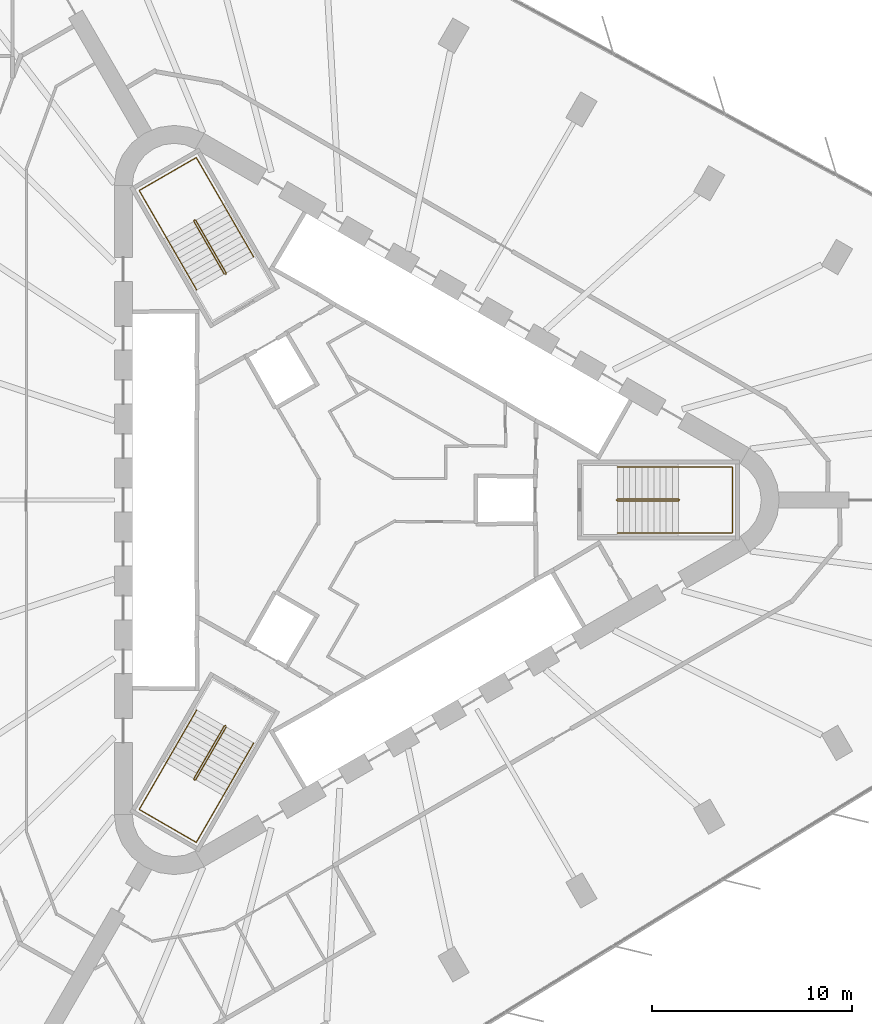
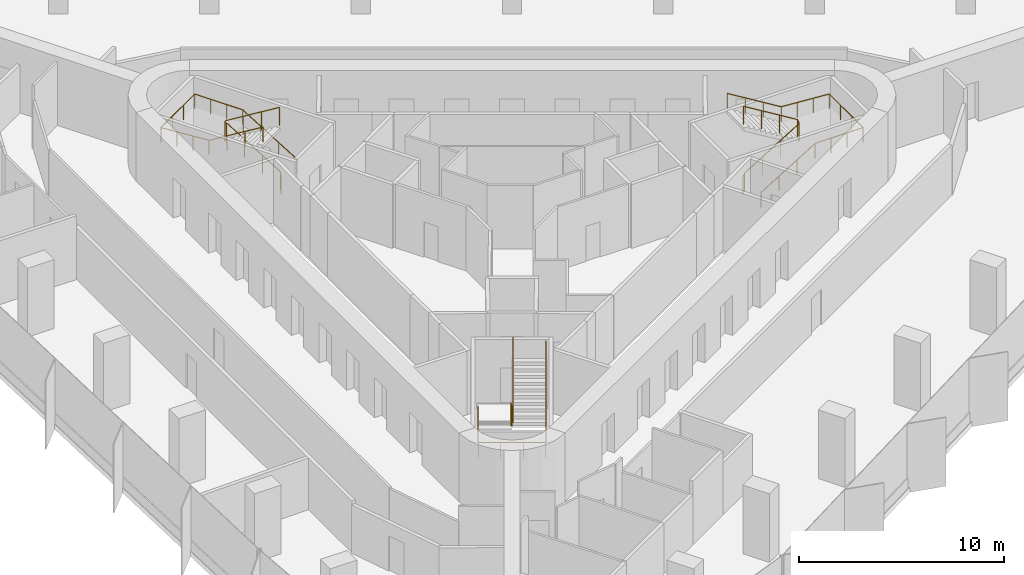
# One storey, part 14 of 14: 6 railings.
"""IFC4 building model written with IfcOpenShell, lengths in metres."""

from ifc_helpers import new_model, si_unit, direction, frame, origin, origin_2d, place, context, subcontext, project, spatial, circle, extrude, material, type_object, element, save


model = new_model("IFC4")

# Units and contexts
model_context = context("Model", 3, precision=1e-05, world=origin(), true_north=direction((0.0, 1.0)))
body_context = subcontext(model_context, "Body", "Model", "MODEL_VIEW")
ifc_project = project(units=[si_unit("LENGTHUNIT", "METRE"), si_unit("AREAUNIT", "SQUARE_METRE"), si_unit("VOLUMEUNIT", "CUBIC_METRE"), si_unit("PLANEANGLEUNIT", "RADIAN"), si_unit("MASSUNIT", "GRAM", prefix="KILO")], contexts=[model_context])

# Site, building, storey
site_placement = place(None, origin())
site = spatial("IfcSite", under=ifc_project, at=site_placement, CompositionType="ELEMENT")
building_placement = place(site_placement, origin())
building = spatial("IfcBuilding", under=site, at=building_placement, Name="Tanit Gate Tower", CompositionType="ELEMENT")
storey_placement = place(building_placement, frame((0.0, 0.0, 148.0)))
storey = spatial("IfcBuildingStorey", under=building, at=storey_placement, Name="L32", CompositionType="ELEMENT", Elevation=148.0)

# Railings
ifc_material_1 = material(Name="Stainless steel balustrade", Category="steel")
railing_type_1 = type_object("IfcRailingType", Name="INT-STAIR-GUARD", PredefinedType="GUARDRAIL", material=ifc_material_1)
railing_1_placement = place(storey_placement, frame((13.044921875, 0.0048828125, 0.0)))
element("IfcRailing", 1, at=railing_1_placement, inside=storey, type_object=railing_type_1, Name="L32 S1 stair guard 1", PredefinedType="GUARDRAIL", context=body_context, shape_type="SweptSolid", body=[
    extrude(circle(Radius=0.02392578125, at=origin_2d()), frame((0.0, 0.0, 1.076171875), z_axis=(0.0, -1.0, 0.0), x_axis=(1.0, 0.0, 0.0)), (0.0, 0.0, 1.0), 0.009765625),
    extrude(circle(Radius=0.02392578125, at=origin_2d()), frame((0.0, -0.009765625, 1.076171875), z_axis=(0.251157038772, -0.251157038772, 0.934794246747), x_axis=(0.707106781187, 0.707106781187, 0.0)), (0.0, 0.0, 1.0), 0.19921875),
    extrude(circle(Radius=0.02392578125, at=origin_2d()), frame((0.050048828125, -0.059814453125, 1.26220703125), z_axis=(0.853374658889, 0.0, 0.521298083217), x_axis=(0.0, 1.0, 0.0)), (0.0, 0.0, 1.0), 3.5751953125),
    extrude(circle(Radius=0.02392578125, at=origin_2d()), frame((3.10107421875, -0.059814453125, 3.1259765625), z_axis=(0.707106781187, 0.707106781187, 0.0), x_axis=(-0.707106781187, 0.707106781187, 0.0)), (0.0, 0.0, 1.0), 0.07080078125),
    extrude(circle(Radius=0.02392578125, at=origin_2d()), frame((3.151123046875, -0.009765625, 3.1259765625), z_axis=(0.0, 1.0, 0.0), x_axis=(-1.0, 0.0, 0.0)), (0.0, 0.0, 1.0), 0.009765625),
    extrude(circle(Radius=0.02392578125, at=origin_2d()), frame((3.151123046875, 0.0, 3.1259765625), z_axis=(-0.251157038772, 0.251157038772, 0.934794246747), x_axis=(-0.707106781187, -0.707106781187, 0.0)), (0.0, 0.0, 1.0), 0.19921875),
    extrude(circle(Radius=0.02392578125, at=origin_2d()), frame((3.10107421875, 0.050048828125, 3.3125), z_axis=(-0.853374658889, 0.0, 0.521298083217), x_axis=(0.0, -1.0, 0.0)), (0.0, 0.0, 1.0), 3.5751953125),
    extrude(circle(Radius=0.02099609375, at=origin_2d()), origin(), (0.0, 0.0, 1.0), 1.052001953125),
    extrude(circle(Radius=0.02099609375, at=origin_2d()), frame((0.0, -0.009765625, 0.0)), (0.0, 0.0, 1.0), 1.052001953125),
    extrude(circle(Radius=0.02099609375, at=origin_2d()), frame((0.050048828125, -0.059814453125, 0.186279296875)), (0.0, 0.0, 1.0), 1.052001953125),
    extrude(circle(Radius=0.02099609375, at=origin_2d()), frame((1.067138671875, -0.059814453125, 0.8076171875)), (0.0, 0.0, 1.0), 1.052001953125),
    extrude(circle(Radius=0.02099609375, at=origin_2d()), frame((2.083984375, -0.059814453125, 1.4287109375)), (0.0, 0.0, 1.0), 1.052001953125),
    extrude(circle(Radius=0.02099609375, at=origin_2d()), frame((3.10107421875, -0.059814453125, 2.050048828125)), (0.0, 0.0, 1.0), 1.052001953125),
    extrude(circle(Radius=0.02099609375, at=origin_2d()), frame((3.151123046875, -0.009765625, 2.050048828125)), (0.0, 0.0, 1.0), 1.052001953125),
    extrude(circle(Radius=0.02099609375, at=origin_2d()), frame((3.151123046875, 0.0, 2.050048828125)), (0.0, 0.0, 1.0), 1.052001953125),
    extrude(circle(Radius=0.02099609375, at=origin_2d()), frame((3.10107421875, 0.050048828125, 2.236328125)), (0.0, 0.0, 1.0), 1.052001953125),
    extrude(circle(Radius=0.02099609375, at=origin_2d()), frame((2.083984375, 0.050048828125, 2.857666015625)), (0.0, 0.0, 1.0), 1.052001953125),
    extrude(circle(Radius=0.02099609375, at=origin_2d()), frame((1.067138671875, 0.050048828125, 3.478759765625)), (0.0, 0.0, 1.0), 1.052001953125),
    extrude(circle(Radius=0.02099609375, at=origin_2d()), frame((0.050048828125, 0.050048828125, 4.10009765625)), (0.0, 0.0, 1.0), 1.052001953125),
])
railing_2_placement = place(storey_placement, frame((-6.527099609375, 11.29345703125, 0.0)))
element("IfcRailing", 2, at=railing_2_placement, inside=storey, type_object=railing_type_1, Name="L32 S2 stair guard 1", PredefinedType="GUARDRAIL", context=body_context, shape_type="SweptSolid", body=[
    extrude(circle(Radius=0.02392578125, at=origin_2d()), frame((0.0, 0.0, 1.076171875), z_axis=(0.868243142124, 0.496138938357, 0.0), x_axis=(-0.496138938357, 0.868243142124, 0.0)), (0.0, 0.0, 1.0), 0.01171875),
    extrude(circle(Radius=0.02392578125, at=origin_2d()), frame((0.01025390625, 0.005859375, 1.076171875), z_axis=(0.091888445584, 0.343050196848, 0.93481178641), x_axis=(-0.965948051503, 0.258736085224, 0.0)), (0.0, 0.0, 1.0), 0.19921875),
    extrude(circle(Radius=0.02392578125, at=origin_2d()), frame((0.028564453125, 0.07421875, 1.26220703125), z_axis=(-0.426636495959, 0.738911183393, 0.521528104107), x_axis=(-0.866012246495, -0.500022788402, 0.0)), (0.0, 0.0, 1.0), 3.57373046875),
    extrude(circle(Radius=0.02392578125, at=origin_2d()), frame((-1.49609375, 2.71484375, 3.1259765625), z_axis=(-0.965715946433, 0.259601060869, 0.0), x_axis=(-0.259601060869, -0.965715946433, 0.0)), (0.0, 0.0, 1.0), 0.070556640625),
    extrude(circle(Radius=0.02392578125, at=origin_2d()), frame((-1.564208984375, 2.733154296875, 3.1259765625), z_axis=(-0.873197702015, -0.487366159264, 0.0), x_axis=(0.487366159264, -0.873197702015, 0.0)), (0.0, 0.0, 1.0), 0.011962890625),
    extrude(circle(Radius=0.02392578125, at=origin_2d()), frame((-1.57470703125, 2.727294921875, 3.1259765625), z_axis=(-0.091888445584, -0.343050196848, 0.93481178641), x_axis=(0.965948051503, -0.258736085224, 0.0)), (0.0, 0.0, 1.0), 0.19921875),
    extrude(circle(Radius=0.02392578125, at=origin_2d()), frame((-1.593017578125, 2.658935546875, 3.3125), z_axis=(0.426636495959, -0.738911183393, 0.521528104107), x_axis=(0.866012246495, 0.500022788402, 0.0)), (0.0, 0.0, 1.0), 3.57373046875),
    extrude(circle(Radius=0.02099609375, at=origin_2d()), origin(), (0.0, 0.0, 1.0), 1.052001953125),
    extrude(circle(Radius=0.02099609375, at=origin_2d()), frame((0.01025390625, 0.005859375, 0.0)), (0.0, 0.0, 1.0), 1.052001953125),
    extrude(circle(Radius=0.02099609375, at=origin_2d()), frame((0.028564453125, 0.07421875, 0.186279296875)), (0.0, 0.0, 1.0), 1.052001953125),
    extrude(circle(Radius=0.02099609375, at=origin_2d()), frame((-0.479736328125, 0.954345703125, 0.8076171875)), (0.0, 0.0, 1.0), 1.052001953125),
    extrude(circle(Radius=0.02099609375, at=origin_2d()), frame((-0.98779296875, 1.834716796875, 1.4287109375)), (0.0, 0.0, 1.0), 1.052001953125),
    extrude(circle(Radius=0.02099609375, at=origin_2d()), frame((-1.49609375, 2.71484375, 2.050048828125)), (0.0, 0.0, 1.0), 1.052001953125),
    extrude(circle(Radius=0.02099609375, at=origin_2d()), frame((-1.564208984375, 2.733154296875, 2.050048828125)), (0.0, 0.0, 1.0), 1.052001953125),
    extrude(circle(Radius=0.02099609375, at=origin_2d()), frame((-1.57470703125, 2.727294921875, 2.050048828125)), (0.0, 0.0, 1.0), 1.052001953125),
    extrude(circle(Radius=0.02099609375, at=origin_2d()), frame((-1.593017578125, 2.658935546875, 2.236328125)), (0.0, 0.0, 1.0), 1.052001953125),
    extrude(circle(Radius=0.02099609375, at=origin_2d()), frame((-1.084716796875, 1.77880859375, 2.857666015625)), (0.0, 0.0, 1.0), 1.052001953125),
    extrude(circle(Radius=0.02099609375, at=origin_2d()), frame((-0.57666015625, 0.8984375, 3.478759765625)), (0.0, 0.0, 1.0), 1.052001953125),
    extrude(circle(Radius=0.02099609375, at=origin_2d()), frame((-0.068359375, 0.018310546875, 4.10009765625)), (0.0, 0.0, 1.0), 1.052001953125),
])
railing_3_placement = place(storey_placement, frame((-6.51806640625, -11.2998046875, 0.0)))
element("IfcRailing", 3, at=railing_3_placement, inside=storey, type_object=railing_type_1, Name="L32 S3 stair guard 1", PredefinedType="GUARDRAIL", context=body_context, shape_type="SweptSolid", body=[
    extrude(circle(Radius=0.02392578125, at=origin_2d()), frame((0.0, 0.0, 1.076171875), z_axis=(-0.874157276122, 0.485642931179, 0.0), x_axis=(-0.485642931179, -0.874157276122, 0.0)), (0.0, 0.0, 1.0), 0.010009765625),
    extrude(circle(Radius=0.02392578125, at=origin_2d()), frame((-0.0087890625, 0.0048828125, 1.076171875), z_axis=(-0.343088566343, -0.090673406819, 0.934916343285), x_axis=(0.255512919477, -0.966805641264, 0.0)), (0.0, 0.0, 1.0), 0.19921875),
    extrude(circle(Radius=0.02392578125, at=origin_2d()), frame((-0.0771484375, -0.01318359375, 1.26220703125), z_axis=(-0.42665336134, -0.739063593114, 0.52129829713), x_axis=(0.866048339477, -0.499960272111, 0.0)), (0.0, 0.0, 1.0), 3.5751953125),
    extrude(circle(Radius=0.02392578125, at=origin_2d()), frame((-1.6025390625, -2.655517578125, 3.1259765625), z_axis=(0.258736085224, -0.965948051503, 0.0), x_axis=(0.965948051503, 0.258736085224, 0.0)), (0.0, 0.0, 1.0), 0.07080078125),
    extrude(circle(Radius=0.02392578125, at=origin_2d()), frame((-1.584228515625, -2.723876953125, 3.1259765625), z_axis=(0.868243142124, -0.496138938357, 0.0), x_axis=(0.496138938357, 0.868243142124, 0.0)), (0.0, 0.0, 1.0), 0.009765625),
    extrude(circle(Radius=0.02392578125, at=origin_2d()), frame((-1.57568359375, -2.728759765625, 3.1259765625), z_axis=(0.343050196848, 0.091888445584, 0.93481178641), x_axis=(-0.258736085224, 0.965948051503, 0.0)), (0.0, 0.0, 1.0), 0.19921875),
    extrude(circle(Radius=0.02392578125, at=origin_2d()), frame((-1.50732421875, -2.71044921875, 3.3125), z_axis=(0.42673074944, 0.739011069041, 0.521309416102), x_axis=(-0.865993683553, 0.500054937028, 0.0)), (0.0, 0.0, 1.0), 3.5751953125),
    extrude(circle(Radius=0.02099609375, at=origin_2d()), origin(), (0.0, 0.0, 1.0), 1.052001953125),
    extrude(circle(Radius=0.02099609375, at=origin_2d()), frame((-0.0087890625, 0.0048828125, 0.0)), (0.0, 0.0, 1.0), 1.052001953125),
    extrude(circle(Radius=0.02099609375, at=origin_2d()), frame((-0.0771484375, -0.01318359375, 0.186279296875)), (0.0, 0.0, 1.0), 1.052001953125),
    extrude(circle(Radius=0.02099609375, at=origin_2d()), frame((-0.585693359375, -0.89404296875, 0.8076171875)), (0.0, 0.0, 1.0), 1.052001953125),
    extrude(circle(Radius=0.02099609375, at=origin_2d()), frame((-1.093994140625, -1.774658203125, 1.4287109375)), (0.0, 0.0, 1.0), 1.052001953125),
    extrude(circle(Radius=0.02099609375, at=origin_2d()), frame((-1.6025390625, -2.655517578125, 2.050048828125)), (0.0, 0.0, 1.0), 1.052001953125),
    extrude(circle(Radius=0.02099609375, at=origin_2d()), frame((-1.584228515625, -2.723876953125, 2.050048828125)), (0.0, 0.0, 1.0), 1.052001953125),
    extrude(circle(Radius=0.02099609375, at=origin_2d()), frame((-1.57568359375, -2.728759765625, 2.050048828125)), (0.0, 0.0, 1.0), 1.052001953125),
    extrude(circle(Radius=0.02099609375, at=origin_2d()), frame((-1.50732421875, -2.71044921875, 2.236328125)), (0.0, 0.0, 1.0), 1.052001953125),
    extrude(circle(Radius=0.02099609375, at=origin_2d()), frame((-0.998779296875, -1.829833984375, 2.857666015625)), (0.0, 0.0, 1.0), 1.052001953125),
    extrude(circle(Radius=0.02099609375, at=origin_2d()), frame((-0.490234375, -0.948974609375, 3.478759765625)), (0.0, 0.0, 1.0), 1.052001953125),
    extrude(circle(Radius=0.02099609375, at=origin_2d()), frame((0.018310546875, -0.068359375, 4.10009765625)), (0.0, 0.0, 1.0), 1.052001953125),
])
ifc_material_2 = material(Name="Stainless steel handrail", Category="steel")
railing_type_2 = type_object("IfcRailingType", Name="INT-STAIR-HANDRAIL", PredefinedType="HANDRAIL", material=ifc_material_2)
railing_4_placement = place(storey_placement, frame((13.094970703125, -1.64990234375, 0.186279296875)))
element("IfcRailing", 4, at=railing_4_placement, inside=storey, type_object=railing_type_2, Name="L32 S1 stair handrail 1", PredefinedType="HANDRAIL", context=body_context, shape_type="SweptSolid", body=[
    extrude(circle(Radius=0.02392578125, at=origin_2d()), frame((0.0, 0.0, 0.8759765625), z_axis=(0.853374658889, 0.0, 0.521298083217), x_axis=(0.0, 1.0, 0.0)), (0.0, 0.0, 1.0), 3.5751953125),
    extrude(circle(Radius=0.02392578125, at=origin_2d()), frame((3.051025390625, 0.0, 2.73974609375), z_axis=(1.0, 0.0, 0.0), x_axis=(0.0, 1.0, 0.0)), (0.0, 0.0, 1.0), 2.7041015625),
    extrude(circle(Radius=0.02392578125, at=origin_2d()), frame((5.755126953125, 0.0, 2.73974609375), z_axis=(0.0, 1.0, 0.0), x_axis=(-1.0, 0.0, 0.0)), (0.0, 0.0, 1.0), 3.2998046875),
    extrude(circle(Radius=0.02392578125, at=origin_2d()), frame((5.755126953125, 3.2998046875, 2.73974609375), z_axis=(-0.997635655124, 0.0, 0.06872481084), x_axis=(0.0, -1.0, 0.0)), (0.0, 0.0, 1.0), 2.71044921875),
    extrude(circle(Radius=0.02392578125, at=origin_2d()), frame((3.051025390625, 3.2998046875, 2.92578125), z_axis=(-0.853374658889, 0.0, 0.521298083217), x_axis=(0.0, -1.0, 0.0)), (0.0, 0.0, 1.0), 3.5751953125),
    extrude(circle(Radius=0.02099609375, at=origin_2d()), origin(), (0.0, 0.0, 1.0), 0.851806640625),
    extrude(circle(Radius=0.02099609375, at=origin_2d()), frame((1.01708984375, 0.0, 0.621337890625)), (0.0, 0.0, 1.0), 0.851806640625),
    extrude(circle(Radius=0.02099609375, at=origin_2d()), frame((2.033935546875, 0.0, 1.242431640625)), (0.0, 0.0, 1.0), 0.851806640625),
    extrude(circle(Radius=0.02099609375, at=origin_2d()), frame((3.051025390625, 0.0, 1.86376953125)), (0.0, 0.0, 1.0), 0.851806640625),
    extrude(circle(Radius=0.02099609375, at=origin_2d()), frame((3.952392578125, 0.0, 1.86376953125)), (0.0, 0.0, 1.0), 0.851806640625),
    extrude(circle(Radius=0.02099609375, at=origin_2d()), frame((4.853759765625, 0.0, 1.86376953125)), (0.0, 0.0, 1.0), 0.851806640625),
    extrude(circle(Radius=0.02099609375, at=origin_2d()), frame((5.755126953125, 0.0, 1.86376953125)), (0.0, 0.0, 1.0), 0.851806640625),
    extrude(circle(Radius=0.02099609375, at=origin_2d()), frame((5.755126953125, 1.099853515625, 1.86376953125)), (0.0, 0.0, 1.0), 0.851806640625),
    extrude(circle(Radius=0.02099609375, at=origin_2d()), frame((5.755126953125, 2.199951171875, 1.86376953125)), (0.0, 0.0, 1.0), 0.851806640625),
    extrude(circle(Radius=0.02099609375, at=origin_2d()), frame((5.755126953125, 3.2998046875, 1.86376953125)), (0.0, 0.0, 1.0), 0.851806640625),
    extrude(circle(Radius=0.02099609375, at=origin_2d()), frame((4.853759765625, 3.2998046875, 1.92578125)), (0.0, 0.0, 1.0), 0.851806640625),
    extrude(circle(Radius=0.02099609375, at=origin_2d()), frame((3.952392578125, 3.2998046875, 1.988037109375)), (0.0, 0.0, 1.0), 0.851806640625),
    extrude(circle(Radius=0.02099609375, at=origin_2d()), frame((3.051025390625, 3.2998046875, 2.050048828125)), (0.0, 0.0, 1.0), 0.851806640625),
    extrude(circle(Radius=0.02099609375, at=origin_2d()), frame((2.033935546875, 3.2998046875, 2.67138671875)), (0.0, 0.0, 1.0), 0.851806640625),
    extrude(circle(Radius=0.02099609375, at=origin_2d()), frame((1.01708984375, 3.2998046875, 3.29248046875)), (0.0, 0.0, 1.0), 0.851806640625),
    extrude(circle(Radius=0.02099609375, at=origin_2d()), frame((0.0, 3.2998046875, 3.913818359375)), (0.0, 0.0, 1.0), 0.851806640625),
])
railing_5_placement = place(storey_placement, frame((-5.1181640625, 12.164794921875, 0.186279296875)))
element("IfcRailing", 5, at=railing_5_placement, inside=storey, type_object=railing_type_2, Name="L32 S2 stair handrail 1", PredefinedType="HANDRAIL", context=body_context, shape_type="SweptSolid", body=[
    extrude(circle(Radius=0.02392578125, at=origin_2d()), frame((0.0, 0.0, 0.8759765625), z_axis=(-0.426580611902, 0.738932719144, 0.521543304174), x_axis=(-0.866046917185, -0.499962735845, 0.0)), (0.0, 0.0, 1.0), 3.573486328125),
    extrude(circle(Radius=0.02392578125, at=origin_2d()), frame((-1.5244140625, 2.640625, 2.73974609375), z_axis=(-0.500019123664, 0.86601436245, 0.0), x_axis=(-0.86601436245, -0.500019123664, 0.0)), (0.0, 0.0, 1.0), 2.70703125),
    extrude(circle(Radius=0.02392578125, at=origin_2d()), frame((-2.8779296875, 4.98486328125, 2.73974609375), z_axis=(-0.866008176907, -0.50002983664, 0.0), x_axis=(0.50002983664, -0.866008176907, 0.0)), (0.0, 0.0, 1.0), 3.300048828125),
    extrude(circle(Radius=0.02392578125, at=origin_2d()), frame((-5.73583984375, 3.334716796875, 2.73974609375), z_axis=(0.498878146149, -0.863948246966, 0.06865873476), x_axis=(0.865991810323, 0.500058181068, 0.0)), (0.0, 0.0, 1.0), 2.713134765625),
    extrude(circle(Radius=0.02392578125, at=origin_2d()), frame((-4.38232421875, 0.99072265625, 2.92578125), z_axis=(0.42661496006, -0.738942197433, 0.521501778238), x_axis=(0.866032263162, 0.499988119021, 0.0)), (0.0, 0.0, 1.0), 3.57373046875),
    extrude(circle(Radius=0.02099609375, at=origin_2d()), origin(), (0.0, 0.0, 1.0), 0.851806640625),
    extrude(circle(Radius=0.02099609375, at=origin_2d()), frame((-0.508056640625, 0.880126953125, 0.621337890625)), (0.0, 0.0, 1.0), 0.851806640625),
    extrude(circle(Radius=0.02099609375, at=origin_2d()), frame((-1.016357421875, 1.760498046875, 1.242431640625)), (0.0, 0.0, 1.0), 0.851806640625),
    extrude(circle(Radius=0.02099609375, at=origin_2d()), frame((-1.5244140625, 2.640625, 1.86376953125)), (0.0, 0.0, 1.0), 0.851806640625),
    extrude(circle(Radius=0.02099609375, at=origin_2d()), frame((-1.9755859375, 3.422119140625, 1.86376953125)), (0.0, 0.0, 1.0), 0.851806640625),
    extrude(circle(Radius=0.02099609375, at=origin_2d()), frame((-2.4267578125, 4.203369140625, 1.86376953125)), (0.0, 0.0, 1.0), 0.851806640625),
    extrude(circle(Radius=0.02099609375, at=origin_2d()), frame((-2.8779296875, 4.98486328125, 1.86376953125)), (0.0, 0.0, 1.0), 0.851806640625),
    extrude(circle(Radius=0.02099609375, at=origin_2d()), frame((-3.83056640625, 4.434814453125, 1.86376953125)), (0.0, 0.0, 1.0), 0.851806640625),
    extrude(circle(Radius=0.02099609375, at=origin_2d()), frame((-4.783203125, 3.884765625, 1.86376953125)), (0.0, 0.0, 1.0), 0.851806640625),
    extrude(circle(Radius=0.02099609375, at=origin_2d()), frame((-5.73583984375, 3.334716796875, 1.86376953125)), (0.0, 0.0, 1.0), 0.851806640625),
    extrude(circle(Radius=0.02099609375, at=origin_2d()), frame((-5.28466796875, 2.553466796875, 1.92578125)), (0.0, 0.0, 1.0), 0.851806640625),
    extrude(circle(Radius=0.02099609375, at=origin_2d()), frame((-4.83349609375, 1.77197265625, 1.988037109375)), (0.0, 0.0, 1.0), 0.851806640625),
    extrude(circle(Radius=0.02099609375, at=origin_2d()), frame((-4.38232421875, 0.99072265625, 2.050048828125)), (0.0, 0.0, 1.0), 0.851806640625),
    extrude(circle(Radius=0.02099609375, at=origin_2d()), frame((-3.8740234375, 0.1103515625, 2.67138671875)), (0.0, 0.0, 1.0), 0.851806640625),
    extrude(circle(Radius=0.02099609375, at=origin_2d()), frame((-3.365966796875, -0.769775390625, 3.29248046875)), (0.0, 0.0, 1.0), 0.851806640625),
    extrude(circle(Radius=0.02099609375, at=origin_2d()), frame((-2.857666015625, -1.650146484375, 3.913818359375)), (0.0, 0.0, 1.0), 0.851806640625),
])
railing_6_placement = place(storey_placement, frame((-7.9765625, -10.515625, 0.186279296875)))
element("IfcRailing", 6, at=railing_6_placement, inside=storey, type_object=railing_type_2, Name="L32 S3 stair handrail 1", PredefinedType="HANDRAIL", context=body_context, shape_type="SweptSolid", body=[
    extrude(circle(Radius=0.02392578125, at=origin_2d()), frame((0.0, 0.0, 0.8759765625), z_axis=(-0.42665336134, -0.739063593114, 0.52129829713), x_axis=(0.866048339477, -0.499960272111, 0.0)), (0.0, 0.0, 1.0), 3.5751953125),
    extrude(circle(Radius=0.02392578125, at=origin_2d()), frame((-1.525390625, -2.642333984375, 2.73974609375), z_axis=(-0.50004290449, -0.866000631449, 0.0), x_axis=(0.866000631449, -0.50004290449, 0.0)), (0.0, 0.0, 1.0), 2.703857421875),
    extrude(circle(Radius=0.02392578125, at=origin_2d()), frame((-2.87744140625, -4.98388671875, 2.73974609375), z_axis=(0.866008176907, -0.50002983664, 0.0), x_axis=(0.50002983664, 0.866008176907, 0.0)), (0.0, 0.0, 1.0), 3.300048828125),
    extrude(circle(Radius=0.02392578125, at=origin_2d()), frame((-0.01953125, -6.634033203125, 2.73974609375), z_axis=(0.498821607388, 0.86397559734, 0.068725331607), x_axis=(-0.866023205937, 0.500003806764, 0.0)), (0.0, 0.0, 1.0), 2.71044921875),
    extrude(circle(Radius=0.02392578125, at=origin_2d()), frame((1.33251953125, -4.292236328125, 2.92578125), z_axis=(0.42665336134, 0.739063593114, 0.52129829713), x_axis=(-0.866048339477, 0.499960272111, 0.0)), (0.0, 0.0, 1.0), 3.5751953125),
    extrude(circle(Radius=0.02099609375, at=origin_2d()), origin(), (0.0, 0.0, 1.0), 0.851806640625),
    extrude(circle(Radius=0.02099609375, at=origin_2d()), frame((-0.508544921875, -0.880859375, 0.621337890625)), (0.0, 0.0, 1.0), 0.851806640625),
    extrude(circle(Radius=0.02099609375, at=origin_2d()), frame((-1.016845703125, -1.761474609375, 1.242431640625)), (0.0, 0.0, 1.0), 0.851806640625),
    extrude(circle(Radius=0.02099609375, at=origin_2d()), frame((-1.525390625, -2.642333984375, 1.86376953125)), (0.0, 0.0, 1.0), 0.851806640625),
    extrude(circle(Radius=0.02099609375, at=origin_2d()), frame((-1.97607421875, -3.4228515625, 1.86376953125)), (0.0, 0.0, 1.0), 0.851806640625),
    extrude(circle(Radius=0.02099609375, at=origin_2d()), frame((-2.4267578125, -4.203369140625, 1.86376953125)), (0.0, 0.0, 1.0), 0.851806640625),
    extrude(circle(Radius=0.02099609375, at=origin_2d()), frame((-2.87744140625, -4.98388671875, 1.86376953125)), (0.0, 0.0, 1.0), 0.851806640625),
    extrude(circle(Radius=0.02099609375, at=origin_2d()), frame((-1.9248046875, -5.533935546875, 1.86376953125)), (0.0, 0.0, 1.0), 0.851806640625),
    extrude(circle(Radius=0.02099609375, at=origin_2d()), frame((-0.97216796875, -6.083984375, 1.86376953125)), (0.0, 0.0, 1.0), 0.851806640625),
    extrude(circle(Radius=0.02099609375, at=origin_2d()), frame((-0.01953125, -6.634033203125, 1.86376953125)), (0.0, 0.0, 1.0), 0.851806640625),
    extrude(circle(Radius=0.02099609375, at=origin_2d()), frame((0.43115234375, -5.853515625, 1.92578125)), (0.0, 0.0, 1.0), 0.851806640625),
    extrude(circle(Radius=0.02099609375, at=origin_2d()), frame((0.8818359375, -5.07275390625, 1.988037109375)), (0.0, 0.0, 1.0), 0.851806640625),
    extrude(circle(Radius=0.02099609375, at=origin_2d()), frame((1.33251953125, -4.292236328125, 2.050048828125)), (0.0, 0.0, 1.0), 0.851806640625),
    extrude(circle(Radius=0.02099609375, at=origin_2d()), frame((1.841064453125, -3.411376953125, 2.67138671875)), (0.0, 0.0, 1.0), 0.851806640625),
    extrude(circle(Radius=0.02099609375, at=origin_2d()), frame((2.349365234375, -2.53076171875, 3.29248046875)), (0.0, 0.0, 1.0), 0.851806640625),
    extrude(circle(Radius=0.02099609375, at=origin_2d()), frame((2.85791015625, -1.64990234375, 3.913818359375)), (0.0, 0.0, 1.0), 0.851806640625),
])

save(model, "model.ifc")
